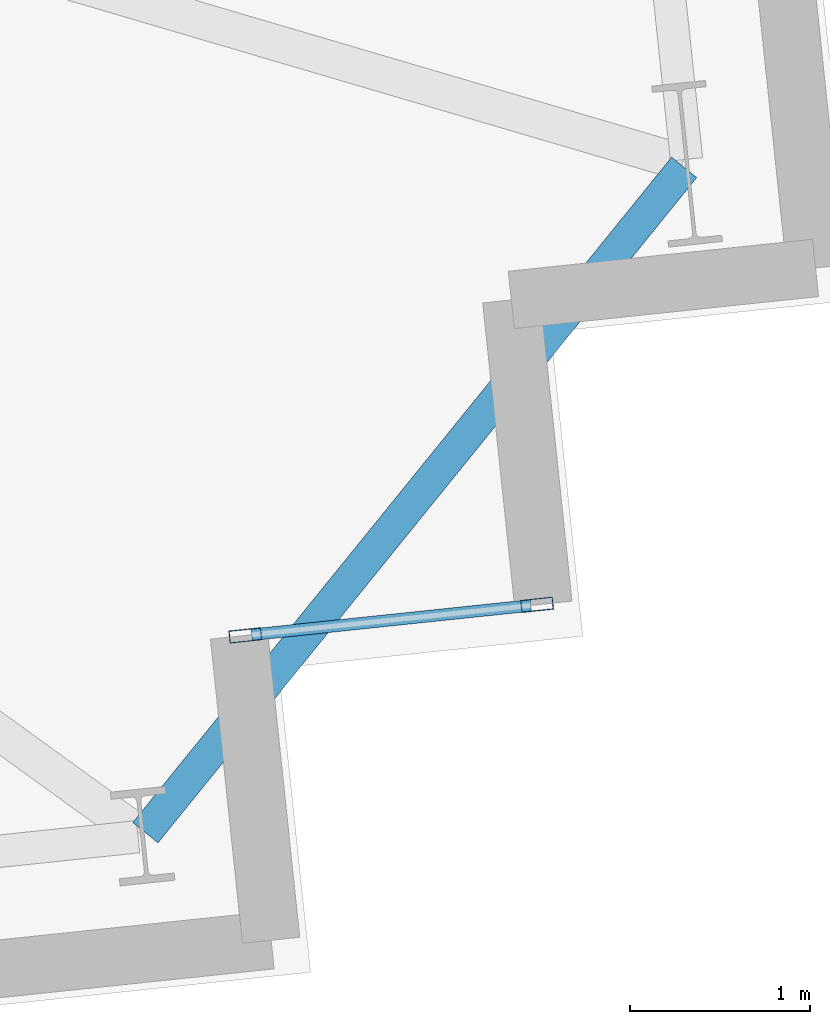
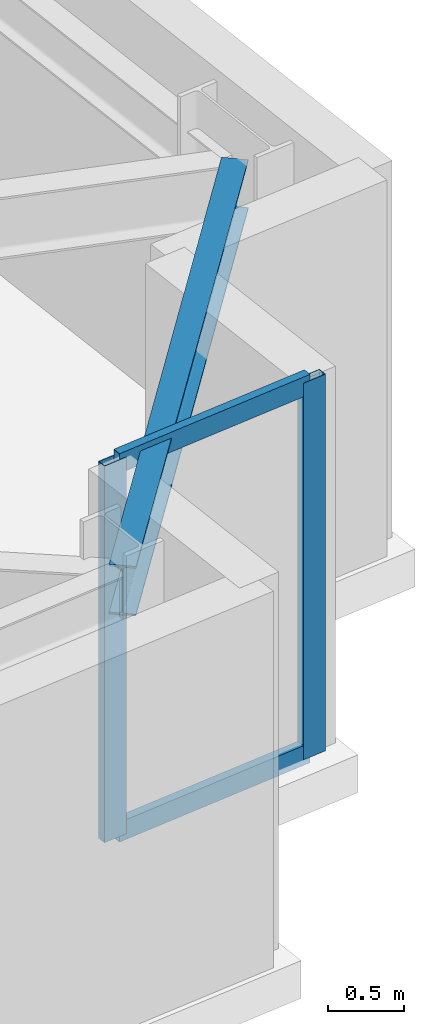
# One storey, part 6 of 17: 4 members, 1 beam, 1 element without a shape of its own.
"""IFC4 building model written with IfcOpenShell, lengths in metres."""

from ifc_helpers import new_model, si_unit, direction, frame, origin, origin_2d, place, context, subcontext, project, spatial, hollow_rectangle, i_section, extrude, material, layer, layer_set, material_profile, profile_set, type_object, element, aggregate, save


model = new_model("IFC4")

# Units and contexts
model_context = context("Model", 3, precision=1e-05, world=origin(), true_north=direction((0.0, 1.0)))
body_context = subcontext(model_context, "Body", "Model", "MODEL_VIEW")
ifc_project = project(units=[si_unit("LENGTHUNIT", "METRE"), si_unit("AREAUNIT", "SQUARE_METRE"), si_unit("VOLUMEUNIT", "CUBIC_METRE"), si_unit("PLANEANGLEUNIT", "RADIAN"), si_unit("MASSUNIT", "GRAM", prefix="KILO")], contexts=[model_context])

# Site, building, storey
site_placement = place(None, origin())
site = spatial("IfcSite", under=ifc_project, at=site_placement, CompositionType="ELEMENT")
building_placement = place(site_placement, origin())
building = spatial("IfcBuilding", under=site, at=building_placement, Name="Qobustan Lattice House", CompositionType="ELEMENT")
storey_placement = place(building_placement, frame((0.0, 0.0, 105.800048828125)))
storey = spatial("IfcBuildingStorey", under=building, at=storey_placement, Name="L29", CompositionType="ELEMENT", Elevation=105.800048828125)

# Beam
ifc_material_1 = material(Name="Steel S355", Category="steel")
ifc_material_profile_1 = material_profile(ifc_material_1, i_section(OverallWidth=0.179931640625, OverallDepth=0.39990234375, WebThickness=0.008544921875, FlangeThickness=0.013427734375, FilletRadius=0.02099609375, at=origin_2d()), Name="IPE400")
ifc_profile_set_1 = profile_set([ifc_material_profile_1], Name="Steel S355")
beam_type = type_object("IfcBeamType", Name="BM-SPD-IPE400", PredefinedType="SPANDREL", material=ifc_profile_set_1)
beam_placement = place(storey_placement, frame((29.608642578125, -13.3876953125, 2.844970703125), z_axis=(0.629351720588, 0.777120590252, 0.0), x_axis=(-0.777120590252, 0.629351720588, 0.0)))
element("IfcBeam", 1, at=beam_placement, inside=storey, type_object=beam_type, Name="L29 perimeter spandrel S7-E1", PredefinedType="SPANDREL", context=body_context, shape_type="SweptSolid", body=[
    extrude(i_section(OverallWidth=0.179931640625, OverallDepth=0.39990234375, WebThickness=0.008544921875, FlangeThickness=0.013427734375, FilletRadius=0.02099609375, at=origin_2d()), origin(), (0.0, 0.0, 1.0), 4.75830078125),
])

# Curtain wall, members
ifc_material_2 = material(Name="Anodised aluminium and low-E glazing", Category="aluminium")
ifc_layer = layer(ifc_material_2, 0.219970703125)
ifc_layer_set = layer_set([ifc_layer], Name="Anodised aluminium and low-E glazing")
curtain_wall_type = type_object("IfcCurtainWallType", Name="CW-FAC-01", PredefinedType="USERDEFINED", material=ifc_layer_set)
curtain_wall_placement = place(storey_placement, origin())
curtain_wall = element("IfcCurtainWall", 2, at=curtain_wall_placement, inside=storey, type_object=curtain_wall_type, Name="L29 serrated corner faceted glazing 18", ObjectType="CURTAIN WALL", PredefinedType="USERDEFINED")
ifc_material_3 = material(Name="Anodised aluminium EN AW-6063 T6", Category="aluminium")
ifc_material_profile_2 = material_profile(ifc_material_3, hollow_rectangle(XDim=0.070068359375, YDim=0.179931640625, WallThickness=0.00439453125, at=origin_2d()), Name="CWM-180x70")
ifc_profile_set_2 = profile_set([ifc_material_profile_2], Name="Anodised aluminium EN AW-6063 T6")
member_type_1 = type_object("IfcMemberType", Name="CWM-STD-180", PredefinedType="MULLION", material=ifc_profile_set_2)
member_1_placement = place(storey_placement, frame((31.785400390625, -12.12109375, 0.0), z_axis=(0.0, 0.0, 1.0), x_axis=(0.104528620025, -0.994521878892, 0.0)))
member_1 = element("IfcMember", 3, at=member_1_placement, type_object=member_type_1, Name="CW-F1 mullion 1", PredefinedType="MULLION", context=body_context, shape_type="SweptSolid", body=[
    extrude(hollow_rectangle(XDim=0.070068359375, YDim=0.179931640625, WallThickness=0.00439453125, at=origin_2d()), origin(), (0.0, 0.0, 1.0), 3.044921875),
])
member_2_placement = place(storey_placement, frame((30.164306640625, -12.29150390625, 0.0), z_axis=(0.0, 0.0, 1.0), x_axis=(0.104528620025, -0.994521878892, 0.0)))
member_2 = element("IfcMember", 4, at=member_2_placement, type_object=member_type_1, Name="CW-F1 mullion 2", PredefinedType="MULLION", context=body_context, shape_type="SweptSolid", body=[
    extrude(hollow_rectangle(XDim=0.070068359375, YDim=0.179931640625, WallThickness=0.00439453125, at=origin_2d()), origin(), (0.0, 0.0, 1.0), 3.044921875),
])
ifc_material_4 = material(Name="Anodised aluminium EN AW-6063 T6", Category="aluminium")
ifc_material_profile_3 = material_profile(ifc_material_4, hollow_rectangle(XDim=0.06494140625, YDim=0.159912109375, WallThickness=0.00390625, at=origin_2d()), Name="CWT-160x65")
ifc_profile_set_3 = profile_set([ifc_material_profile_3], Name="Anodised aluminium EN AW-6063 T6")
member_type_2 = type_object("IfcMemberType", Name="CWT-HOR-160", PredefinedType="USERDEFINED", material=ifc_profile_set_3)
member_3_placement = place(storey_placement, frame((31.750732421875, -12.124755859375, 0.032470703125), z_axis=(-0.994520877159, -0.104538150424, 0.0), x_axis=(0.104538150424, -0.994520877159, 0.0)))
member_3 = element("IfcMember", 5, at=member_3_placement, type_object=member_type_2, Name="CW-F1 transom 1.1", ObjectType="TRANSOM", PredefinedType="USERDEFINED", context=body_context, shape_type="SweptSolid", body=[
    extrude(hollow_rectangle(XDim=0.06494140625, YDim=0.159912109375, WallThickness=0.00390625, at=origin_2d()), origin(), (0.0, 0.0, 1.0), 1.56005859375),
])
member_4_placement = place(storey_placement, frame((31.750732421875, -12.124755859375, 3.012451171875), z_axis=(-0.994520877159, -0.104538150424, 0.0), x_axis=(0.104538150424, -0.994520877159, 0.0)))
member_4 = element("IfcMember", 6, at=member_4_placement, type_object=member_type_2, Name="CW-F1 transom 1.2", ObjectType="TRANSOM", PredefinedType="USERDEFINED", context=body_context, shape_type="SweptSolid", body=[
    extrude(hollow_rectangle(XDim=0.06494140625, YDim=0.159912109375, WallThickness=0.00390625, at=origin_2d()), origin(), (0.0, 0.0, 1.0), 1.56005859375),
])
aggregate(curtain_wall, [member_1, member_2, member_3, member_4])

save(model, "model.ifc")
